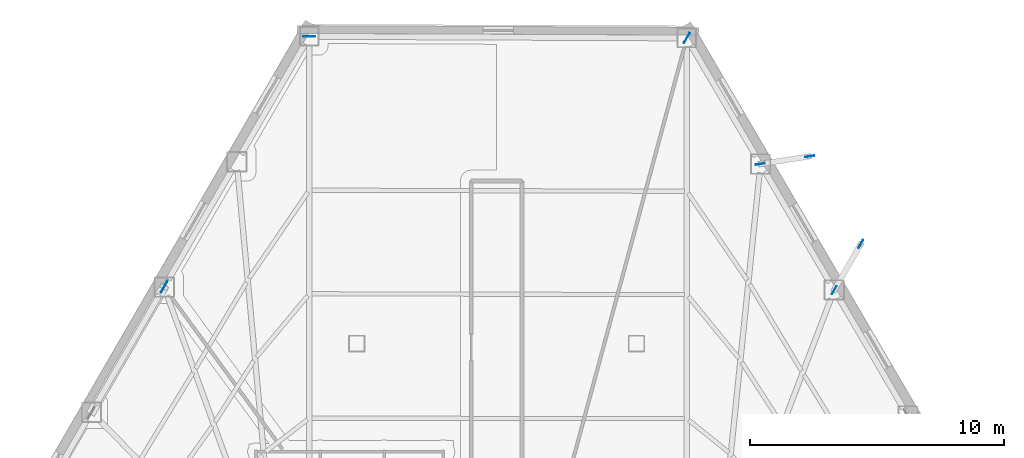
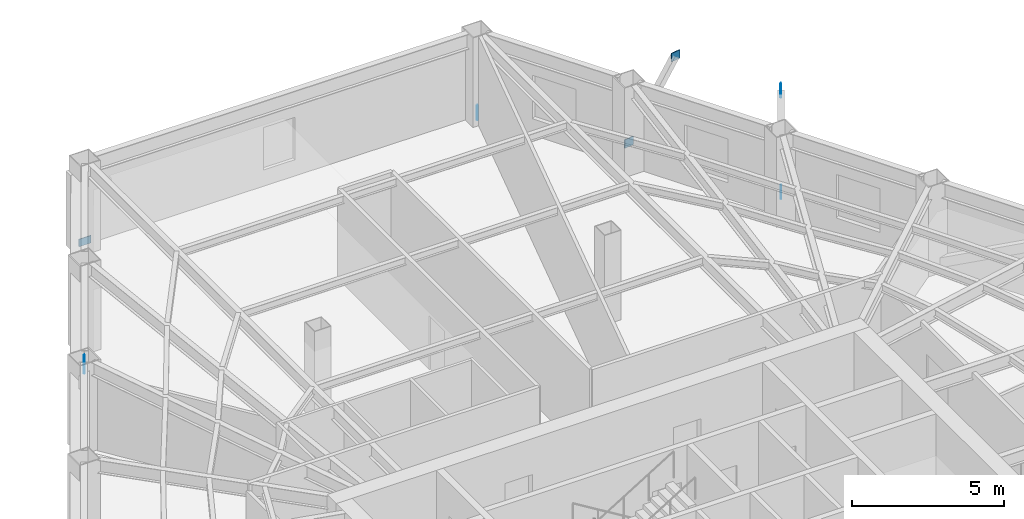
# One storey, part 8 of 14: 7 plates.
"""IFC4 building model written with IfcOpenShell, lengths in metres."""

from ifc_helpers import new_model, si_unit, direction, frame, origin, origin_2d, place, context, subcontext, project, spatial, rectangle, extrude, material, layer, layer_set, type_object, element, save


model = new_model("IFC4")

# Units and contexts
model_context = context("Model", 3, precision=1e-05, world=origin(), true_north=direction((0.0, 1.0)))
body_context = subcontext(model_context, "Body", "Model", "MODEL_VIEW")
ifc_project = project(units=[si_unit("LENGTHUNIT", "METRE"), si_unit("AREAUNIT", "SQUARE_METRE"), si_unit("VOLUMEUNIT", "CUBIC_METRE"), si_unit("PLANEANGLEUNIT", "RADIAN"), si_unit("MASSUNIT", "GRAM", prefix="KILO")], contexts=[model_context])

# Site, building, storey
site_placement = place(None, origin())
site = spatial("IfcSite", under=ifc_project, at=site_placement, CompositionType="ELEMENT")
building_placement = place(site_placement, origin())
building = spatial("IfcBuilding", under=site, at=building_placement, Name="Kavelnor Concourse Tower", CompositionType="ELEMENT")
storey_placement = place(building_placement, frame((0.0, 0.0, 52.199951171875)))
storey = spatial("IfcBuildingStorey", under=building, at=storey_placement, Name="L13", CompositionType="ELEMENT", Elevation=52.199951171875)

# Plates
ifc_material = material(Name="Steel Grade 350", Category="steel")
ifc_layer_1 = layer(ifc_material, 0.028076171875, Name="Steel Grade 350")
ifc_layer_set_1 = layer_set([ifc_layer_1], Name="Steel Grade 350")
plate_type_1 = type_object("IfcPlateType", Name="PL-GUSSET-FOLD", PredefinedType="USERDEFINED", material=ifc_layer_set_1)
for number, where, z_axis, x_axis, name in (
    (1, (30.634033203125, 43.885498046875, 0.10009765625), (0.0, 0.0, 1.0), (1.0, 0.0, 0.0), "L13 Herringbone Corner-Fold Kink Gusset Plate F0-B0"),
    (2, (45.481201171875, 43.8212890625, 0.10009765625), (0.0, 0.0, 1.0), (-0.5, -0.866025403784, 0.0), "L13 Herringbone Corner-Fold Kink Gusset Plate F2-B6"),
):
    element("IfcPlate", number, at=place(storey_placement, frame(where, z_axis=z_axis, x_axis=x_axis)), inside=storey, type_object=plate_type_1, Name=name, ObjectType="GUSSET_PLATE", PredefinedType="USERDEFINED", context=body_context, shape_type="SweptSolid", body=[
        extrude(rectangle(XDim=0.4599609375, YDim=0.028076171875, at=origin_2d()), origin(), (0.0, 0.0, 1.0), 0.300048828125),
    ])
for number, where, z_axis, x_axis, name in (
    (3, (51.275634765625, 33.899658203125, 0.8798828125), (0.0, 0.0, 1.0), (0.499546481641, 0.866287084447, 0.0), "L13 Balcony Strut Gusset GP4 1-A End Gusset A"),
    (4, (52.326171875, 35.721435546875, 3.48486328125), (0.0, 0.0, 1.0), (0.499546481641, 0.866287084447, 0.0), "L13 Balcony Strut Gusset GP4 1-A End Gusset B"),
    (5, (48.369384765625, 38.864013671875, 0.8798828125), (0.0, 0.0, 1.0), (0.98820166533, 0.153158312343, 0.0), "L13 Balcony Strut Gusset GP4 1-B End Gusset A"),
    (6, (50.310791015625, 39.16455078125, 3.48486328125), (0.0, 0.0, 1.0), (0.98820166533, 0.153158312343, 0.0), "L13 Balcony Strut Gusset GP4 1-B End Gusset B"),
):
    element("IfcPlate", number, at=place(storey_placement, frame(where, z_axis=z_axis, x_axis=x_axis)), inside=storey, type_object=plate_type_1, Name=name, ObjectType="GUSSET_PLATE", PredefinedType="USERDEFINED", context=body_context, shape_type="SweptSolid", body=[
        extrude(rectangle(XDim=0.360107421875, YDim=0.028076171875, at=origin_2d()), origin(), (0.0, 0.0, 1.0), 0.340087890625),
    ])
ifc_layer_2 = layer(ifc_material, 0.031982421875, Name="Steel Grade 350")
ifc_layer_set_2 = layer_set([ifc_layer_2], Name="Steel Grade 350")
plate_type_2 = type_object("IfcPlateType", Name="PL-GUSSET-TUBE-Z1", PredefinedType="USERDEFINED", material=ifc_layer_set_2)
plate_placement = place(storey_placement, frame((24.9267578125, 34.03662109375, 3.073974609375), z_axis=(0.0, 0.0, 1.0), x_axis=(0.501359732114, 0.865238937528, 0.0)))
element("IfcPlate", 7, at=plate_placement, inside=storey, type_object=plate_type_2, Name="L13 Tube Brace Gusset GP3 F0-B2 End Gusset B", ObjectType="GUSSET_PLATE", PredefinedType="USERDEFINED", context=body_context, shape_type="SweptSolid", body=[
    extrude(rectangle(XDim=0.52001953125, YDim=0.031982421875, at=origin_2d()), origin(), (0.0, 0.0, 1.0), 0.419921875),
])

save(model, "model.ifc")
